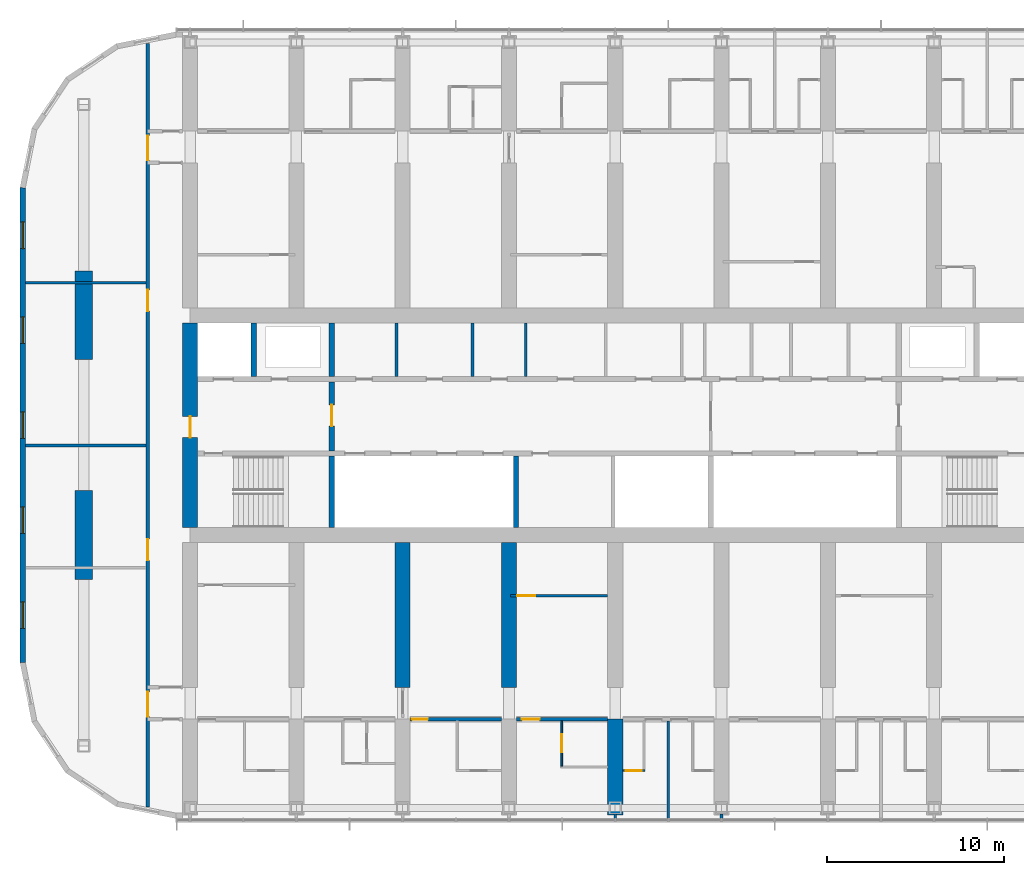
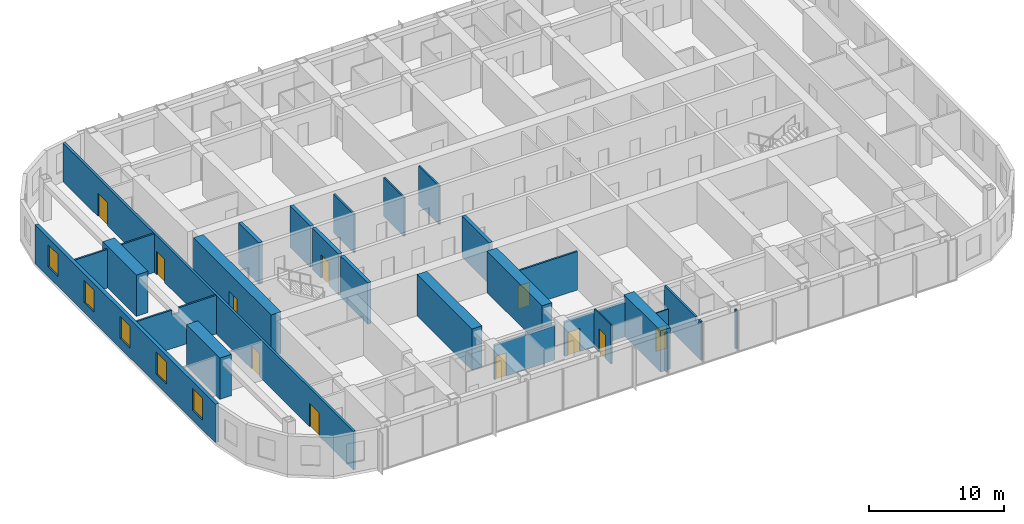
# One storey, part 11 of 23: 26 walls, 11 doors, 5 windows, 16 openings.
"""IFC4 building model written with IfcOpenShell, lengths in metres."""

from ifc_helpers import new_model, si_unit, direction, frame, frame_2d, origin, place, context, subcontext, project, spatial, polyline, rectangle, outline, extrude, material, layer, layer_set, type_object, element, fill, save


model = new_model("IFC4")

# Units and contexts
model_context = context("Model", 3, precision=1e-05, world=origin(), true_north=direction((0.0, 1.0)))
body_context = subcontext(model_context, "Body", "Model", "MODEL_VIEW")
ifc_project = project(units=[si_unit("LENGTHUNIT", "METRE"), si_unit("AREAUNIT", "SQUARE_METRE"), si_unit("VOLUMEUNIT", "CUBIC_METRE"), si_unit("PLANEANGLEUNIT", "RADIAN"), si_unit("MASSUNIT", "GRAM", prefix="KILO")], contexts=[model_context])

# Site, building, storey
site_placement = place(None, origin())
site = spatial("IfcSite", under=ifc_project, at=site_placement, CompositionType="ELEMENT")
building_placement = place(site_placement, origin())
building = spatial("IfcBuilding", under=site, at=building_placement, Name="Orbita Commons", CompositionType="ELEMENT")
storey_placement = place(building_placement, frame((0.0, 0.0, 171.10009765625)))
storey = spatial("IfcBuildingStorey", under=building, at=storey_placement, Name="L42", CompositionType="ELEMENT", Elevation=171.10009765625)

# Wall
ifc_material_1 = material(Name="Concrete C50/60", Category="concrete")
ifc_layer_1 = layer(ifc_material_1, 0.300048828125)
ifc_layer_set_1 = layer_set([ifc_layer_1], Name="Concrete C50/60")
wall_type_1 = type_object("IfcWallType", Name="Core inner wall 300 C50/60", PredefinedType="SHEAR", material=ifc_layer_set_1)
wall_1_placement = place(storey_placement, frame((26.0, 26.22509765625, 0.0), z_axis=(0.0, 0.0, 1.0), x_axis=(0.0, 1.0, 0.0)))
element("IfcWall", 1, at=wall_1_placement, inside=storey, type_object=wall_type_1, Name="Stair S1 wall L42", PredefinedType="SHEAR", context=body_context, shape_type="SweptSolid", body=[
    extrude(rectangle(XDim=4.02490234375, YDim=0.300048828125, at=frame_2d((2.012451171875, 0.0))), origin(), (0.0, 0.0, 1.0), 3.75),
])

# Wall, opening, door
wall_2_placement = place(storey_placement, frame((26.0, 30.550048828125, 0.0), z_axis=(0.0, 0.0, 1.0), x_axis=(0.0, 1.0, 0.0)))
wall_2 = element("IfcWall", 2, at=wall_2_placement, inside=storey, type_object=wall_type_1, Name="Firefighting lobby wall west L42", PredefinedType="SHEAR", context=body_context, shape_type="SweptSolid", body=[
    extrude(rectangle(XDim=3.89990234375, YDim=0.300048828125, at=frame_2d((1.949951171875, 0.0))), origin(), (0.0, 0.0, 1.0), 3.75),
])
opening_1_placement = place(wall_2_placement, frame((1.39990234375, 0.0, 0.0)))
opening_1 = element("IfcOpeningElement", 3, at=opening_1_placement, cuts=wall_2, Name="Opening D04", PredefinedType="OPENING", context=body_context, shape_type="SweptSolid", body=[
    extrude(rectangle(XDim=1.199951171875, YDim=2.10009765625, at=frame_2d((0.60009765625, 1.050048828125))), frame((0.0, 0.159912109375, 0.0), z_axis=(0.0, -1.0, 0.0), x_axis=(1.0, 0.0, 0.0)), (0.0, 0.0, 1.0), 0.320068359375),
])
ifc_material_2 = material(Name="Steel-faced fire door leaf", Category="steel")
door_type_1 = type_object("IfcDoorType", Name="Service door 20 min 1200x2100", OperationType="SINGLE_SWING_LEFT", PredefinedType="DOOR", material=ifc_material_2)
door_1_placement = place(opening_1_placement, origin())
door_1 = element("IfcDoor", 4, at=door_1_placement, inside=storey, type_object=door_type_1, Name="Lift lobby door west", OperationType="SINGLE_SWING_LEFT", OverallHeight=2.10009765625, OverallWidth=1.199951171875, PredefinedType="DOOR", context=body_context, shape_type="SweptSolid", body=[
    extrude(rectangle(XDim=1.199951171875, YDim=2.10009765625, at=frame_2d((0.60009765625, 1.050048828125))), frame((0.0, 0.02490234375, 0.0), z_axis=(0.0, -1.0, 0.0), x_axis=(1.0, 0.0, 0.0)), (0.0, 0.0, 1.0), 0.050048828125),
])
fill(opening_1, door_1)

# Walls
for number, where, z_axis, x_axis, name in (
    (5, (21.60009765625, 34.75, 0.0), (0.0, 0.0, 1.0), (0.0, 1.0, 0.0), "Firefighting lift FL1 shaft wall L42"),
    (6, (26.0, 34.75, 0.0), (0.0, 0.0, 1.0), (0.0, 1.0, 0.0), "Riser wall west L42"),
):
    element("IfcWall", number, at=place(storey_placement, frame(where, z_axis=z_axis, x_axis=x_axis)), inside=storey, type_object=wall_type_1, Name=name, PredefinedType="SHEAR", context=body_context, shape_type="SweptSolid", body=[
        extrude(rectangle(XDim=3.02490234375, YDim=0.300048828125, at=frame_2d((1.512451171875, 0.0))), origin(), (0.0, 0.0, 1.0), 3.75),
    ])
wall_3_placement = place(storey_placement, frame((36.39990234375, 26.22509765625, 0.0), z_axis=(0.0, 0.0, 1.0), x_axis=(0.0, 1.0, 0.0)))
element("IfcWall", 7, at=wall_3_placement, inside=storey, type_object=wall_type_1, Name="Hoistway division wall L42", PredefinedType="SHEAR", context=body_context, shape_type="SweptSolid", body=[
    extrude(rectangle(XDim=4.02490234375, YDim=0.300048828125, at=frame_2d((2.012451171875, 0.0))), origin(), (0.0, 0.0, 1.0), 3.75),
])
ifc_material_3 = material(Name="Concrete blockwork", Category="masonry")
ifc_layer_2 = layer(ifc_material_3, 0.14990234375)
ifc_layer_set_2 = layer_set([ifc_layer_2], Name="Concrete blockwork")
wall_type_2 = type_object("IfcWallType", Name="Core partition 150 blockwork", PredefinedType="SOLIDWALL", material=ifc_layer_set_2)
for number, where, z_axis, x_axis, name in (
    (8, (29.65087890625, 34.75, 0.0), (0.0, 0.0, 1.0), (0.0, 1.0, 0.0), "Core partition 150 blockwork L42"),
    (9, (33.9462890625, 34.75, 0.0), (0.0, 0.0, 1.0), (0.0, 1.0, 0.0), "Core partition 150 blockwork L42"),
    (10, (36.9462890625, 34.75, 0.0), (0.0, 0.0, 1.0), (0.0, 1.0, 0.0), "Core partition 150 blockwork L42"),
):
    element("IfcWall", number, at=place(storey_placement, frame(where, z_axis=z_axis, x_axis=x_axis)), inside=storey, type_object=wall_type_2, Name=name, PredefinedType="SOLIDWALL", context=body_context, shape_type="SweptSolid", body=[
        extrude(rectangle(XDim=3.02490234375, YDim=0.14990234375, at=frame_2d((1.512451171875, 0.0))), origin(), (0.0, 0.0, 1.0), 3.5),
    ])

# Wall, opening, door
ifc_material_4 = material(Name="Concrete C50/60", Category="concrete")
ifc_layer_3 = layer(ifc_material_4, 0.85009765625)
ifc_layer_set_3 = layer_set([ifc_layer_3], Name="Concrete C50/60")
wall_type_3 = type_object("IfcWallType", Name="Core wall 850 C50/60", PredefinedType="SHEAR", material=ifc_layer_set_3)
wall_4_placement = place(storey_placement, frame((18.0, 26.22509765625, 0.0), z_axis=(0.0, 0.0, 1.0), x_axis=(0.0, 1.0, 0.0)))
wall_4 = element("IfcWall", 11, at=wall_4_placement, inside=storey, type_object=wall_type_3, Name="Core end wall west L42", PredefinedType="SHEAR", context=body_context, shape_type="SweptSolid", body=[
    extrude(rectangle(XDim=11.5498046875, YDim=0.85009765625, at=frame_2d((5.77490234375, 0.0))), origin(), (0.0, 0.0, 1.0), 3.75),
])
opening_2_placement = place(wall_4_placement, frame((5.074951171875, 0.0, 0.0)))
opening_2 = element("IfcOpeningElement", 12, at=opening_2_placement, cuts=wall_4, Name="Opening D01", PredefinedType="OPENING", context=body_context, shape_type="SweptSolid", body=[
    extrude(rectangle(XDim=1.199951171875, YDim=2.10009765625, at=frame_2d((0.60009765625, 1.050048828125))), frame((0.0, 0.43505859375, 0.0), z_axis=(0.0, -1.0, 0.0), x_axis=(1.0, 0.0, 0.0)), (0.0, 0.0, 1.0), 0.8701171875),
])
ifc_material_5 = material(Name="Steel-faced fire door leaf", Category="steel")
door_type_2 = type_object("IfcDoorType", Name="Fire door 90 min 1200x2100", OperationType="SINGLE_SWING_LEFT", PredefinedType="DOOR", material=ifc_material_5)
door_2_placement = place(opening_2_placement, origin())
door_2 = element("IfcDoor", 13, at=door_2_placement, inside=storey, type_object=door_type_2, Name="Firefighting lobby west door", OperationType="SINGLE_SWING_LEFT", OverallHeight=2.10009765625, OverallWidth=1.199951171875, PredefinedType="DOOR", context=body_context, shape_type="SweptSolid", body=[
    extrude(rectangle(XDim=1.199951171875, YDim=2.10009765625, at=frame_2d((0.60009765625, 1.050048828125))), frame((0.0, 0.02490234375, 0.0), z_axis=(0.0, -1.0, 0.0), x_axis=(1.0, 0.0, 0.0)), (0.0, 0.0, 1.0), 0.050048828125),
])
fill(opening_2, door_2)

ifc_material_6 = material(Name="Concrete blockwork", Category="masonry")
ifc_layer_4 = layer(ifc_material_6, 0.199951171875)
ifc_layer_set_4 = layer_set([ifc_layer_4], Name="Concrete blockwork")
wall_type_4 = type_object("IfcWallType", Name="Corridor wall 200 blockwork", PredefinedType="SOLIDWALL", material=ifc_layer_set_4)
wall_5_placement = place(storey_placement, frame((30.425048828125, 15.39990234375, 0.0), z_axis=(0.0, 0.0, 1.0), x_axis=(1.0, 0.0, 0.0)))
wall_5 = element("IfcWall", 14, at=wall_5_placement, inside=storey, type_object=wall_type_4, Name="Corridor wall 200 blockwork L42", PredefinedType="SOLIDWALL", context=body_context, shape_type="SweptSolid", body=[
    extrude(outline(polyline([(0.0, 0.0), (5.14990234375, 0.0), (5.14990234375, 3.099853515625), (0.0, 3.099853515625), (0.0, 0.0)])), frame((0.0, 0.10009765625, 0.0), z_axis=(0.0, -1.0, 0.0), x_axis=(1.0, 0.0, 0.0)), (0.0, 0.0, 1.0), 0.199951171875),
])
opening_3_placement = place(wall_5_placement, frame((0.10009765625, 0.0, 0.0)))
opening_3 = element("IfcOpeningElement", 15, at=opening_3_placement, cuts=wall_5, Name="Opening D11", PredefinedType="OPENING", context=body_context, shape_type="SweptSolid", body=[
    extrude(rectangle(XDim=0.89990234375, YDim=2.10009765625, at=frame_2d((0.449951171875, 1.050048828125))), frame((0.0, 0.10986328125, 0.0), z_axis=(0.0, -1.0, 0.0), x_axis=(1.0, 0.0, 0.0)), (0.0, 0.0, 1.0), 0.219970703125),
])
ifc_material_7 = material(Name="Steel-faced fire door leaf", Category="steel")
door_type_3 = type_object("IfcDoorType", Name="Corridor door 20 min 900x2100", OperationType="SINGLE_SWING_LEFT", PredefinedType="DOOR", material=ifc_material_7)
door_3_placement = place(opening_3_placement, origin())
door_3 = element("IfcDoor", 16, at=door_3_placement, inside=storey, type_object=door_type_3, Name="Twin room L42-S04 door", OperationType="SINGLE_SWING_LEFT", OverallHeight=2.10009765625, OverallWidth=0.89990234375, PredefinedType="DOOR", context=body_context, shape_type="SweptSolid", body=[
    extrude(rectangle(XDim=0.89990234375, YDim=2.10009765625, at=frame_2d((0.449951171875, 1.050048828125))), frame((0.0, 0.02490234375, 0.0), z_axis=(0.0, -1.0, 0.0), x_axis=(1.0, 0.0, 0.0)), (0.0, 0.0, 1.0), 0.050048828125),
])
fill(opening_3, door_3)

wall_6_placement = place(storey_placement, frame((36.425048828125, 15.39990234375, 0.0), z_axis=(0.0, 0.0, 1.0), x_axis=(1.0, 0.0, 0.0)))
wall_6 = element("IfcWall", 17, at=wall_6_placement, inside=storey, type_object=wall_type_4, Name="Corridor wall 200 blockwork L42", PredefinedType="SOLIDWALL", context=body_context, shape_type="SweptSolid", body=[
    extrude(outline(polyline([(0.0, 0.0), (5.14990234375, 0.0), (5.14990234375, 3.099853515625), (0.0, 3.099853515625), (0.0, 0.0)])), frame((0.0, 0.10009765625, 0.0), z_axis=(0.0, -1.0, 0.0), x_axis=(1.0, 0.0, 0.0)), (0.0, 0.0, 1.0), 0.199951171875),
])
opening_4_placement = place(wall_6_placement, frame((0.300048828125, 0.0, 0.0)))
opening_4 = element("IfcOpeningElement", 18, at=opening_4_placement, cuts=wall_6, Name="Opening D06", PredefinedType="OPENING", context=body_context, shape_type="SweptSolid", body=[
    extrude(rectangle(XDim=1.0, YDim=2.10009765625, at=frame_2d((0.5, 1.050048828125))), frame((0.0, 0.10986328125, 0.0), z_axis=(0.0, -1.0, 0.0), x_axis=(1.0, 0.0, 0.0)), (0.0, 0.0, 1.0), 0.219970703125),
])
ifc_material_8 = material(Name="Steel-faced fire door leaf", Category="steel")
door_type_4 = type_object("IfcDoorType", Name="Corridor door 20 min 1000x2100", OperationType="SINGLE_SWING_LEFT", PredefinedType="DOOR", material=ifc_material_8)
door_4_placement = place(opening_4_placement, origin())
door_4 = element("IfcDoor", 19, at=door_4_placement, inside=storey, type_object=door_type_4, Name="Accessible bedroom L42-S06 door", OperationType="SINGLE_SWING_LEFT", OverallHeight=2.10009765625, OverallWidth=1.0, PredefinedType="DOOR", context=body_context, shape_type="SweptSolid", body=[
    extrude(rectangle(XDim=1.0, YDim=2.10009765625, at=frame_2d((0.5, 1.050048828125))), frame((0.0, 0.02490234375, 0.0), z_axis=(0.0, -1.0, 0.0), x_axis=(1.0, 0.0, 0.0)), (0.0, 0.0, 1.0), 0.050048828125),
])
fill(opening_4, door_4)

# Wall, openings, doors
wall_7_placement = place(storey_placement, frame((15.60009765625, 10.4462890625, 0.0), z_axis=(0.0, 0.0, 1.0), x_axis=(0.0, 1.0, 0.0)))
wall_7 = element("IfcWall", 20, at=wall_7_placement, inside=storey, type_object=wall_type_4, Name="Corridor wall 200 blockwork L42", PredefinedType="SOLIDWALL", context=body_context, shape_type="SweptSolid", body=[
    extrude(rectangle(XDim=43.107421875, YDim=0.199951171875, at=frame_2d((21.5537109375, 0.0))), origin(), (0.0, 0.0, 1.0), 3.5),
])
opening_5_placement = place(wall_7_placement, frame((13.913818359375, 0.0, 0.0)))
opening_5 = element("IfcOpeningElement", 21, at=opening_5_placement, cuts=wall_7, Name="Opening D15", PredefinedType="OPENING", context=body_context, shape_type="SweptSolid", body=[
    extrude(rectangle(XDim=1.199951171875, YDim=2.10009765625, at=frame_2d((0.60009765625, 1.050048828125))), frame((0.0, 0.10986328125, 0.0), z_axis=(0.0, -1.0, 0.0), x_axis=(1.0, 0.0, 0.0)), (0.0, 0.0, 1.0), 0.219970703125),
])
opening_6_placement = place(wall_7_placement, frame((27.993896484375, 0.0, 0.0)))
opening_6 = element("IfcOpeningElement", 22, at=opening_6_placement, cuts=wall_7, Name="Opening D15", PredefinedType="OPENING", context=body_context, shape_type="SweptSolid", body=[
    extrude(rectangle(XDim=1.199951171875, YDim=2.10009765625, at=frame_2d((0.60009765625, 1.050048828125))), frame((0.0, 0.10986328125, 0.0), z_axis=(0.0, -1.0, 0.0), x_axis=(1.0, 0.0, 0.0)), (0.0, 0.0, 1.0), 0.219970703125),
])
opening_7_placement = place(wall_7_placement, frame((5.103759765625, 0.0, 0.0)))
opening_7 = element("IfcOpeningElement", 23, at=opening_7_placement, cuts=wall_7, Name="Opening D08", PredefinedType="OPENING", context=body_context, shape_type="SweptSolid", body=[
    extrude(rectangle(XDim=1.39990234375, YDim=2.10009765625, at=frame_2d((0.699951171875, 1.050048828125))), frame((0.0, 0.10986328125, 0.0), z_axis=(0.0, -1.0, 0.0), x_axis=(1.0, 0.0, 0.0)), (0.0, 0.0, 1.0), 0.219970703125),
])
opening_8_placement = place(wall_7_placement, frame((36.50390625, 0.0, 0.0)))
opening_8 = element("IfcOpeningElement", 24, at=opening_8_placement, cuts=wall_7, Name="Opening D08", PredefinedType="OPENING", context=body_context, shape_type="SweptSolid", body=[
    extrude(rectangle(XDim=1.39990234375, YDim=2.10009765625, at=frame_2d((0.699951171875, 1.050048828125))), frame((0.0, 0.10986328125, 0.0), z_axis=(0.0, -1.0, 0.0), x_axis=(1.0, 0.0, 0.0)), (0.0, 0.0, 1.0), 0.219970703125),
])
ifc_material_9 = material(Name="Steel-faced fire door leaf", Category="steel")
door_type_5 = type_object("IfcDoorType", Name="Corridor door 20 min 1200x2100", OperationType="SINGLE_SWING_LEFT", PredefinedType="DOOR", material=ifc_material_9)
door_5_placement = place(opening_5_placement, origin())
door_5 = element("IfcDoor", 25, at=door_5_placement, inside=storey, type_object=door_type_5, Name="Study hall door", OperationType="SINGLE_SWING_LEFT", OverallHeight=2.10009765625, OverallWidth=1.199951171875, PredefinedType="DOOR", context=body_context, shape_type="SweptSolid", body=[
    extrude(rectangle(XDim=1.199951171875, YDim=2.10009765625, at=frame_2d((0.60009765625, 1.050048828125))), frame((0.0, 0.02490234375, 0.0), z_axis=(0.0, -1.0, 0.0), x_axis=(1.0, 0.0, 0.0)), (0.0, 0.0, 1.0), 0.050048828125),
])
fill(opening_5, door_5)
door_6_placement = place(opening_6_placement, origin())
door_6 = element("IfcDoor", 26, at=door_6_placement, inside=storey, type_object=door_type_5, Name="Study hall door", OperationType="SINGLE_SWING_LEFT", OverallHeight=2.10009765625, OverallWidth=1.199951171875, PredefinedType="DOOR", context=body_context, shape_type="SweptSolid", body=[
    extrude(rectangle(XDim=1.199951171875, YDim=2.10009765625, at=frame_2d((0.60009765625, 1.050048828125))), frame((0.0, 0.02490234375, 0.0), z_axis=(0.0, -1.0, 0.0), x_axis=(1.0, 0.0, 0.0)), (0.0, 0.0, 1.0), 0.050048828125),
])
fill(opening_6, door_6)
ifc_material_10 = material(Name="Steel-faced fire door leaf", Category="steel")
door_type_6 = type_object("IfcDoorType", Name="Double corridor door 20 min 1400x2100", OperationType="DOUBLE_DOOR_SINGLE_SWING", PredefinedType="DOOR", material=ifc_material_10)
door_7_placement = place(opening_7_placement, origin())
door_7 = element("IfcDoor", 27, at=door_7_placement, inside=storey, type_object=door_type_6, Name="Lounge doors", OperationType="DOUBLE_DOOR_SINGLE_SWING", OverallHeight=2.10009765625, OverallWidth=1.39990234375, PredefinedType="DOOR", context=body_context, shape_type="SweptSolid", body=[
    extrude(rectangle(XDim=1.39990234375, YDim=2.10009765625, at=frame_2d((0.699951171875, 1.050048828125))), frame((0.0, 0.02490234375, 0.0), z_axis=(0.0, -1.0, 0.0), x_axis=(1.0, 0.0, 0.0)), (0.0, 0.0, 1.0), 0.050048828125),
])
fill(opening_7, door_7)
door_8_placement = place(opening_8_placement, origin())
door_8 = element("IfcDoor", 28, at=door_8_placement, inside=storey, type_object=door_type_6, Name="Lounge doors", OperationType="DOUBLE_DOOR_SINGLE_SWING", OverallHeight=2.10009765625, OverallWidth=1.39990234375, PredefinedType="DOOR", context=body_context, shape_type="SweptSolid", body=[
    extrude(rectangle(XDim=1.39990234375, YDim=2.10009765625, at=frame_2d((0.699951171875, 1.050048828125))), frame((0.0, 0.02490234375, 0.0), z_axis=(0.0, -1.0, 0.0), x_axis=(1.0, 0.0, 0.0)), (0.0, 0.0, 1.0), 0.050048828125),
])
fill(opening_8, door_8)

# Walls
ifc_material_11 = material(Name="Concrete C50/60", Category="concrete")
ifc_layer_5 = layer(ifc_material_11, 0.85009765625)
ifc_layer_set_5 = layer_set([ifc_layer_5], Name="Concrete C50/60")
wall_type_5 = type_object("IfcWallType", Name="Cross wall 850 C50/60", PredefinedType="SHEAR", material=ifc_layer_set_5)
for number, where, z_axis, x_axis, name in (
    (29, (30.0, 17.199951171875, 0.0), (0.0, 0.0, 1.0), (0.0, 1.0, 0.0), "Cross wall 6 south inner L42"),
    (30, (36.0, 17.199951171875, 0.0), (0.0, 0.0, 1.0), (0.0, 1.0, 0.0), "Cross wall 7 south inner L42"),
):
    element("IfcWall", number, at=place(storey_placement, frame(where, z_axis=z_axis, x_axis=x_axis)), inside=storey, type_object=wall_type_5, Name=name, PredefinedType="SHEAR", context=body_context, shape_type="SweptSolid", body=[
        extrude(rectangle(XDim=8.175048828125, YDim=0.85009765625, at=frame_2d((4.08740234375, 0.0))), origin(), (0.0, 0.0, 1.0), 3.75),
    ])
wall_8_placement = place(storey_placement, frame((42.0, 10.0, 0.0), z_axis=(0.0, 0.0, 1.0), x_axis=(0.0, 1.0, 0.0)))
element("IfcWall", 31, at=wall_8_placement, inside=storey, type_object=wall_type_5, Name="Cross wall 8 south outer L42", PredefinedType="SHEAR", context=body_context, shape_type="SweptSolid", body=[
    extrude(rectangle(XDim=5.39990234375, YDim=0.85009765625, at=frame_2d((2.699951171875, 0.0))), origin(), (0.0, 0.0, 1.0), 3.75),
])

# Wall, opening, door
ifc_material_12 = material(Name="Moisture-resistant plasterboard on steel studs", Category="steel")
ifc_layer_6 = layer(ifc_material_12, 0.10009765625)
ifc_layer_set_6 = layer_set([ifc_layer_6], Name="Moisture-resistant plasterboard on steel studs")
wall_type_6 = type_object("IfcWallType", Name="En-suite partition 100", PredefinedType="PARTITIONING", material=ifc_layer_set_6)
wall_9_placement = place(storey_placement, frame((38.97509765625, 12.75, 0.0), z_axis=(0.0, 0.0, 1.0), x_axis=(0.0, 1.0, 0.0)))
wall_9 = element("IfcWall", 32, at=wall_9_placement, inside=storey, type_object=wall_type_6, Name="En-suite partition 100 L42", PredefinedType="PARTITIONING", context=body_context, shape_type="SweptSolid", body=[
    extrude(outline(polyline([(0.0, 0.0), (2.550048828125, 0.0), (2.550048828125, 3.099853515625), (2.501953125, 3.099853515625), (2.5, 3.5), (0.0, 3.5), (0.0, 0.0)])), frame((0.0, 0.050048828125, 0.0), z_axis=(0.0, -1.0, 0.0), x_axis=(1.0, 0.0, 0.0)), (0.0, 0.0, 1.0), 0.10009765625),
])
opening_9_placement = place(wall_9_placement, frame((0.800048828125, 0.0, 0.0)))
opening_9 = element("IfcOpeningElement", 33, at=opening_9_placement, cuts=wall_9, Name="Opening D13", PredefinedType="OPENING", context=body_context, shape_type="SweptSolid", body=[
    extrude(rectangle(XDim=1.0, YDim=2.10009765625, at=frame_2d((0.5, 1.050048828125))), frame((0.0, 0.06005859375, 0.0), z_axis=(0.0, -1.0, 0.0), x_axis=(1.0, 0.0, 0.0)), (0.0, 0.0, 1.0), 0.1201171875),
])
ifc_material_13 = material(Name="Laminated timber door leaf", Category="wood")
door_type_7 = type_object("IfcDoorType", Name="En-suite door 1000x2100", OperationType="SINGLE_SWING_RIGHT", PredefinedType="DOOR", material=ifc_material_13)
door_9_placement = place(opening_9_placement, origin())
door_9 = element("IfcDoor", 34, at=door_9_placement, inside=storey, type_object=door_type_7, Name="Accessible shower room L42-S06 door", OperationType="SINGLE_SWING_RIGHT", OverallHeight=2.10009765625, OverallWidth=1.0, PredefinedType="DOOR", context=body_context, shape_type="SweptSolid", body=[
    extrude(rectangle(XDim=1.0, YDim=2.10009765625, at=frame_2d((0.5, 1.050048828125))), frame((0.0, 0.02490234375, 0.0), z_axis=(0.0, -1.0, 0.0), x_axis=(1.0, 0.0, 0.0)), (0.0, 0.0, 1.0), 0.050048828125),
])
fill(opening_9, door_9)

wall_10_placement = place(storey_placement, frame((43.675048828125, 12.5, 0.0), z_axis=(0.0, 0.0, 1.0), x_axis=(-1.0, 0.0, 0.0)))
wall_10 = element("IfcWall", 35, at=wall_10_placement, inside=storey, type_object=wall_type_6, Name="En-suite partition 100 L42", PredefinedType="PARTITIONING", context=body_context, shape_type="SweptSolid", body=[
    extrude(rectangle(XDim=1.25, YDim=0.10009765625, at=frame_2d((0.625, 0.0))), origin(), (0.0, 0.0, 1.0), 3.5),
])
opening_10_placement = place(wall_10_placement, frame((0.175048828125, 0.0, 0.0)))
opening_10 = element("IfcOpeningElement", 36, at=opening_10_placement, cuts=wall_10, Name="Opening D09", PredefinedType="OPENING", context=body_context, shape_type="SweptSolid", body=[
    extrude(rectangle(XDim=0.89990234375, YDim=2.10009765625, at=frame_2d((0.449951171875, 1.050048828125))), frame((0.0, 0.06005859375, 0.0), z_axis=(0.0, -1.0, 0.0), x_axis=(1.0, 0.0, 0.0)), (0.0, 0.0, 1.0), 0.1201171875),
])
ifc_material_14 = material(Name="Laminated timber door leaf", Category="wood")
door_type_8 = type_object("IfcDoorType", Name="En-suite door 900x2100", OperationType="SINGLE_SWING_RIGHT", PredefinedType="DOOR", material=ifc_material_14)
door_10_placement = place(opening_10_placement, origin())
door_10 = element("IfcDoor", 37, at=door_10_placement, inside=storey, type_object=door_type_8, Name="En-suite L42-S08 door", OperationType="SINGLE_SWING_RIGHT", OverallHeight=2.10009765625, OverallWidth=0.89990234375, PredefinedType="DOOR", context=body_context, shape_type="SweptSolid", body=[
    extrude(rectangle(XDim=0.89990234375, YDim=2.10009765625, at=frame_2d((0.449951171875, 1.050048828125))), frame((0.0, 0.02490234375, 0.0), z_axis=(0.0, -1.0, 0.0), x_axis=(1.0, 0.0, 0.0)), (0.0, 0.0, 1.0), 0.050048828125),
])
fill(opening_10, door_10)

# Walls
ifc_material_15 = material(Name="Concrete C50/60", Category="concrete")
ifc_layer_7 = layer(ifc_material_15, 1.0)
ifc_layer_set_7 = layer_set([ifc_layer_7], Name="Concrete C50/60")
wall_type_7 = type_object("IfcWallType", Name="End pier 1000x5000 C50/60", PredefinedType="SHEAR", material=ifc_layer_set_7)
for number, where, z_axis, x_axis, name in (
    (38, (12.0, 23.300048828125, 0.0), (0.0, 0.0, 1.0), (0.0, 1.0, 0.0), "End pier 3/C L42"),
    (39, (12.0, 35.699951171875, 0.0), (0.0, 0.0, 1.0), (0.0, 1.0, 0.0), "End pier 3/D L42"),
):
    element("IfcWall", number, at=place(storey_placement, frame(where, z_axis=z_axis, x_axis=x_axis)), inside=storey, type_object=wall_type_7, Name=name, PredefinedType="SHEAR", context=body_context, shape_type="SweptSolid", body=[
        extrude(rectangle(XDim=5.0, YDim=1.0, at=frame_2d((2.5, 0.0))), origin(), (0.0, 0.0, 1.0), 3.75),
    ])

# Wall, opening, door
ifc_material_16 = material(Name="Gypsum plasterboard on steel studs", Category="steel")
ifc_layer_8 = layer(ifc_material_16, 0.14990234375)
ifc_layer_set_8 = layer_set([ifc_layer_8], Name="Gypsum plasterboard on steel studs")
wall_type_8 = type_object("IfcWallType", Name="Partition 150 plasterboard", PredefinedType="PARTITIONING", material=ifc_layer_set_8)
wall_11_placement = place(storey_placement, frame((36.074951171875, 22.375, 0.0), z_axis=(0.0, 0.0, 1.0), x_axis=(1.0, 0.0, 0.0)))
wall_11 = element("IfcWall", 40, at=wall_11_placement, inside=storey, type_object=wall_type_8, Name="Partition 150 plasterboard L42", PredefinedType="PARTITIONING", context=body_context, shape_type="SweptSolid", body=[
    extrude(rectangle(XDim=5.5, YDim=0.14990234375, at=frame_2d((2.75, 0.0))), origin(), (0.0, 0.0, 1.0), 3.5),
])
opening_11_placement = place(wall_11_placement, frame((0.39990234375, 0.0, 0.0)))
opening_11 = element("IfcOpeningElement", 41, at=opening_11_placement, cuts=wall_11, Name="Opening D17", PredefinedType="OPENING", context=body_context, shape_type="SweptSolid", body=[
    extrude(rectangle(XDim=1.0, YDim=2.10009765625, at=frame_2d((0.5, 1.050048828125))), frame((0.0, 0.0849609375, 0.0), z_axis=(0.0, -1.0, 0.0), x_axis=(1.0, 0.0, 0.0)), (0.0, 0.0, 1.0), 0.169921875),
])
ifc_material_17 = material(Name="Steel-faced fire door leaf", Category="steel")
door_type_9 = type_object("IfcDoorType", Name="Shaft access door 90 min 1000x2100", OperationType="SINGLE_SWING_LEFT", PredefinedType="DOOR", material=ifc_material_17)
door_11_placement = place(opening_11_placement, origin())
door_11 = element("IfcDoor", 42, at=door_11_placement, inside=storey, type_object=door_type_9, Name="Ventilation plant room south L42-BDS36 door", OperationType="SINGLE_SWING_LEFT", OverallHeight=2.10009765625, OverallWidth=1.0, PredefinedType="DOOR", context=body_context, shape_type="SweptSolid", body=[
    extrude(rectangle(XDim=1.0, YDim=2.10009765625, at=frame_2d((0.5, 1.050048828125))), frame((0.0, 0.02490234375, 0.0), z_axis=(0.0, -1.0, 0.0), x_axis=(1.0, 0.0, 0.0)), (0.0, 0.0, 1.0), 0.050048828125),
])
fill(opening_11, door_11)

# Walls
wall_12_placement = place(storey_placement, frame((8.705078125, 30.85009765625, 0.0), z_axis=(0.0, 0.0, 1.0), x_axis=(1.0, 0.0, 0.0)))
element("IfcWall", 43, at=wall_12_placement, inside=storey, type_object=wall_type_8, Name="Partition 150 plasterboard L42", PredefinedType="PARTITIONING", context=body_context, shape_type="SweptSolid", body=[
    extrude(outline(polyline([(0.0, 0.0), (6.81982421875, 0.0), (6.820068359375, 3.5), (3.596923828125, 3.5), (3.594970703125, 3.0498046875), (2.9970703125, 3.0498046875), (2.9951171875, 3.5), (0.0, 3.5), (0.0, 0.0)])), frame((0.0, 0.074951171875, 0.0), z_axis=(0.0, -1.0, 0.0), x_axis=(1.0, 0.0, 0.0)), (0.0, 0.0, 1.0), 0.14990234375),
])
wall_13_placement = place(storey_placement, frame((8.705078125, 40.0400390625, 0.0), z_axis=(0.0, 0.0, 1.0), x_axis=(1.0, 0.0, 0.0)))
element("IfcWall", 44, at=wall_13_placement, inside=storey, type_object=wall_type_8, Name="Partition 150 plasterboard L42", PredefinedType="PARTITIONING", context=body_context, shape_type="SweptSolid", body=[
    extrude(rectangle(XDim=6.81982421875, YDim=0.14990234375, at=frame_2d((3.409912109375, 0.0))), origin(), (0.0, 0.0, 1.0), 3.5),
])
for number, where, z_axis, x_axis, name in (
    (45, (42.0, 10.050048828125, 0.0), (0.0, 0.0, 1.0), (0.0, -1.0, 0.0), "Partition 150 plasterboard L42"),
    (46, (48.0, 10.050048828125, 0.0), (0.0, 0.0, 1.0), (0.0, -1.0, 0.0), "Partition 150 plasterboard L42"),
):
    element("IfcWall", number, at=place(storey_placement, frame(where, z_axis=z_axis, x_axis=x_axis)), inside=storey, type_object=wall_type_8, Name=name, PredefinedType="PARTITIONING", context=body_context, shape_type="SweptSolid", body=[
        extrude(rectangle(XDim=0.239990234375, YDim=0.14990234375, at=frame_2d((0.1201171875, 0.0))), origin(), (0.0, 0.0, 1.0), 3.5),
    ])
ifc_material_18 = material(Name="Gypsum plasterboard on steel studs", Category="steel")
ifc_layer_9 = layer(ifc_material_18, 0.14990234375)
ifc_layer_set_9 = layer_set([ifc_layer_9], Name="Gypsum plasterboard on steel studs")
wall_type_9 = type_object("IfcWallType", Name="Party wall 150 plasterboard", PredefinedType="PARTITIONING", material=ifc_layer_set_9)
wall_14_placement = place(storey_placement, frame((45.0, 9.81005859375, 0.0), z_axis=(0.0, 0.0, 1.0), x_axis=(0.0, 1.0, 0.0)))
element("IfcWall", 47, at=wall_14_placement, inside=storey, type_object=wall_type_9, Name="Party wall 150 plasterboard L42", PredefinedType="PARTITIONING", context=body_context, shape_type="SweptSolid", body=[
    extrude(outline(polyline([(0.0, 0.0), (5.489990234375, 0.0), (5.489990234375, 3.099853515625), (5.44189453125, 3.099853515625), (5.43994140625, 3.5), (0.7919921875, 3.5), (0.7900390625, 3.099853515625), (0.39208984375, 3.099853515625), (0.389892578125, 3.5), (0.0, 3.5), (0.0, 0.0)])), frame((0.0, 0.074951171875, 0.0), z_axis=(0.0, -1.0, 0.0), x_axis=(1.0, 0.0, 0.0)), (0.0, 0.0, 1.0), 0.14990234375),
])

# Wall, openings, windows
ifc_material_19 = material(Name="Precast concrete C40/50, white board-marked finish", Category="concrete")
ifc_layer_10 = layer(ifc_material_19, 0.300048828125)
ifc_layer_set_10 = layer_set([ifc_layer_10], Name="Precast concrete C40/50, white board-marked finish")
wall_type_10 = type_object("IfcWallType", Name="Precast concrete end shield 300", PredefinedType="SOLIDWALL", material=ifc_layer_set_10)
wall_15_placement = place(storey_placement, frame((8.550048828125, 45.39990234375, 0.0), z_axis=(0.0, 0.0, 1.0), x_axis=(0.0, -1.0, 0.0)))
wall_15 = element("IfcWall", 48, at=wall_15_placement, inside=storey, type_object=wall_type_10, Name="End shield W L42", PredefinedType="SOLIDWALL", context=body_context, shape_type="SweptSolid", body=[
    extrude(outline(polyline([(-0.014892578125, -0.14990234375), (26.814697265625, -0.14990234375), (26.784912109375, 0.14990234375), (0.014892578125, 0.14990234375), (-0.014892578125, -0.14990234375)])), origin(), (0.0, 0.0, 1.0), 3.5),
])
opening_12_placement = place(wall_15_placement, frame((1.929931640625, 0.0, 0.89990234375)))
opening_12 = element("IfcOpeningElement", 49, at=opening_12_placement, cuts=wall_15, Name="Opening W01", PredefinedType="OPENING", context=body_context, shape_type="SweptSolid", body=[
    extrude(rectangle(XDim=1.5, YDim=2.0, at=frame_2d((0.75, 1.0))), frame((0.0, 0.159912109375, 0.0), z_axis=(0.0, -1.0, 0.0), x_axis=(1.0, 0.0, 0.0)), (0.0, 0.0, 1.0), 0.320068359375),
])
opening_13_placement = place(wall_15_placement, frame((7.2900390625, 0.0, 0.89990234375)))
opening_13 = element("IfcOpeningElement", 50, at=opening_13_placement, cuts=wall_15, Name="Opening W01", PredefinedType="OPENING", context=body_context, shape_type="SweptSolid", body=[
    extrude(rectangle(XDim=1.5, YDim=2.0, at=frame_2d((0.75, 1.0))), frame((0.0, 0.159912109375, 0.0), z_axis=(0.0, -1.0, 0.0), x_axis=(1.0, 0.0, 0.0)), (0.0, 0.0, 1.0), 0.320068359375),
])
opening_14_placement = place(wall_15_placement, frame((12.64990234375, 0.0, 0.89990234375)))
opening_14 = element("IfcOpeningElement", 51, at=opening_14_placement, cuts=wall_15, Name="Opening W01", PredefinedType="OPENING", context=body_context, shape_type="SweptSolid", body=[
    extrude(rectangle(XDim=1.5, YDim=2.0, at=frame_2d((0.75, 1.0))), frame((0.0, 0.159912109375, 0.0), z_axis=(0.0, -1.0, 0.0), x_axis=(1.0, 0.0, 0.0)), (0.0, 0.0, 1.0), 0.320068359375),
])
opening_15_placement = place(wall_15_placement, frame((18.010009765625, 0.0, 0.89990234375)))
opening_15 = element("IfcOpeningElement", 52, at=opening_15_placement, cuts=wall_15, Name="Opening W01", PredefinedType="OPENING", context=body_context, shape_type="SweptSolid", body=[
    extrude(rectangle(XDim=1.5, YDim=2.0, at=frame_2d((0.75, 1.0))), frame((0.0, 0.159912109375, 0.0), z_axis=(0.0, -1.0, 0.0), x_axis=(1.0, 0.0, 0.0)), (0.0, 0.0, 1.0), 0.320068359375),
])
opening_16_placement = place(wall_15_placement, frame((23.3701171875, 0.0, 0.89990234375)))
opening_16 = element("IfcOpeningElement", 53, at=opening_16_placement, cuts=wall_15, Name="Opening W01", PredefinedType="OPENING", context=body_context, shape_type="SweptSolid", body=[
    extrude(rectangle(XDim=1.5, YDim=2.0, at=frame_2d((0.75, 1.0))), frame((0.0, 0.159912109375, 0.0), z_axis=(0.0, -1.0, 0.0), x_axis=(1.0, 0.0, 0.0)), (0.0, 0.0, 1.0), 0.320068359375),
])
ifc_material_20 = material(Name="Aluminium frame, clear double glazing", Category="aluminium")
window_type = type_object("IfcWindowType", Name="Deep-set window 1500x2000", PartitioningType="SINGLE_PANEL", PredefinedType="WINDOW", material=ifc_material_20)
window_1_placement = place(opening_12_placement, origin())
window_1 = element("IfcWindow", 54, at=window_1_placement, inside=storey, type_object=window_type, Name="Window L42-W 1", OverallHeight=2.0, OverallWidth=1.5, PartitioningType="SINGLE_PANEL", PredefinedType="WINDOW", context=body_context, shape_type="SweptSolid", body=[
    extrude(rectangle(XDim=1.5, YDim=2.0, at=frame_2d((0.75, 1.0))), frame((0.0, 0.030029296875, 0.0), z_axis=(0.0, -1.0, 0.0), x_axis=(1.0, 0.0, 0.0)), (0.0, 0.0, 1.0), 0.06005859375),
])
fill(opening_12, window_1)
window_2_placement = place(opening_13_placement, origin())
window_2 = element("IfcWindow", 55, at=window_2_placement, inside=storey, type_object=window_type, Name="Window L42-W 2", OverallHeight=2.0, OverallWidth=1.5, PartitioningType="SINGLE_PANEL", PredefinedType="WINDOW", context=body_context, shape_type="SweptSolid", body=[
    extrude(rectangle(XDim=1.5, YDim=2.0, at=frame_2d((0.75, 1.0))), frame((0.0, 0.030029296875, 0.0), z_axis=(0.0, -1.0, 0.0), x_axis=(1.0, 0.0, 0.0)), (0.0, 0.0, 1.0), 0.06005859375),
])
fill(opening_13, window_2)
window_3_placement = place(opening_14_placement, origin())
window_3 = element("IfcWindow", 56, at=window_3_placement, inside=storey, type_object=window_type, Name="Window L42-W 3", OverallHeight=2.0, OverallWidth=1.5, PartitioningType="SINGLE_PANEL", PredefinedType="WINDOW", context=body_context, shape_type="SweptSolid", body=[
    extrude(rectangle(XDim=1.5, YDim=2.0, at=frame_2d((0.75, 1.0))), frame((0.0, 0.030029296875, 0.0), z_axis=(0.0, -1.0, 0.0), x_axis=(1.0, 0.0, 0.0)), (0.0, 0.0, 1.0), 0.06005859375),
])
fill(opening_14, window_3)
window_4_placement = place(opening_15_placement, origin())
window_4 = element("IfcWindow", 57, at=window_4_placement, inside=storey, type_object=window_type, Name="Window L42-W 4", OverallHeight=2.0, OverallWidth=1.5, PartitioningType="SINGLE_PANEL", PredefinedType="WINDOW", context=body_context, shape_type="SweptSolid", body=[
    extrude(rectangle(XDim=1.5, YDim=2.0, at=frame_2d((0.75, 1.0))), frame((0.0, 0.030029296875, 0.0), z_axis=(0.0, -1.0, 0.0), x_axis=(1.0, 0.0, 0.0)), (0.0, 0.0, 1.0), 0.06005859375),
])
fill(opening_15, window_4)
window_5_placement = place(opening_16_placement, origin())
window_5 = element("IfcWindow", 58, at=window_5_placement, inside=storey, type_object=window_type, Name="Window L42-W 5", OverallHeight=2.0, OverallWidth=1.5, PartitioningType="SINGLE_PANEL", PredefinedType="WINDOW", context=body_context, shape_type="SweptSolid", body=[
    extrude(rectangle(XDim=1.5, YDim=2.0, at=frame_2d((0.75, 1.0))), frame((0.0, 0.030029296875, 0.0), z_axis=(0.0, -1.0, 0.0), x_axis=(1.0, 0.0, 0.0)), (0.0, 0.0, 1.0), 0.06005859375),
])
fill(opening_16, window_5)

save(model, "model.ifc")
